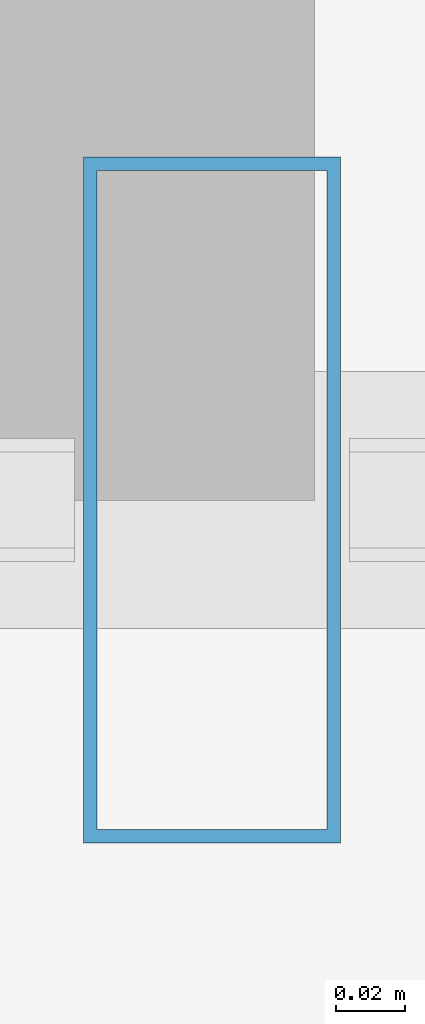
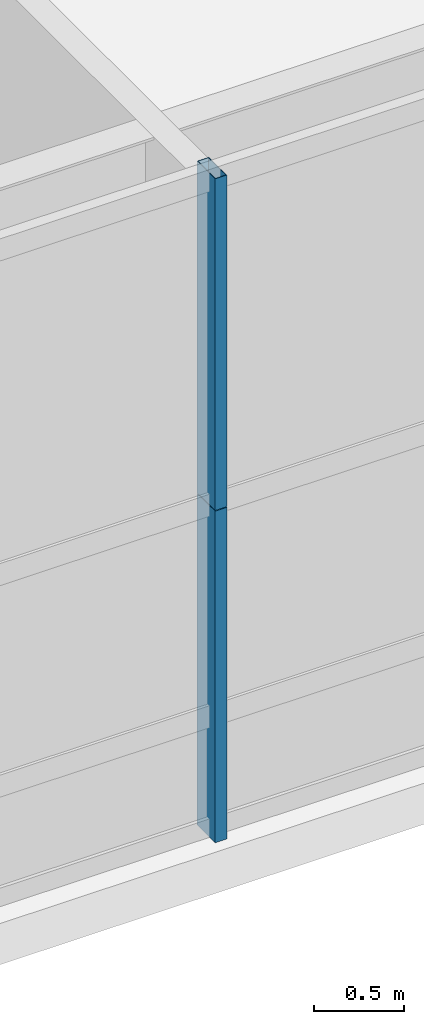
# One storey, part 13 of 39: 2 members, 1 element without a shape of its own.
"""IFC4 building model written with IfcOpenShell, lengths in metres."""

from ifc_helpers import new_model, si_unit, direction, frame, origin, origin_2d, place, context, subcontext, project, spatial, hollow_rectangle, extrude, source, transform, mapped, material, layer, layer_set, material_profile, profile_set, type_object, element, aggregate, save


model = new_model("IFC4")

# Units and contexts
model_context = context("Model", 3, precision=1e-05, world=origin(), true_north=direction((0.0, 1.0)))
body_context = subcontext(model_context, "Body", "Model", "MODEL_VIEW")
ifc_project = project(units=[si_unit("LENGTHUNIT", "METRE"), si_unit("AREAUNIT", "SQUARE_METRE"), si_unit("VOLUMEUNIT", "CUBIC_METRE"), si_unit("PLANEANGLEUNIT", "RADIAN"), si_unit("MASSUNIT", "GRAM", prefix="KILO"), si_unit("THERMODYNAMICTEMPERATUREUNIT", "KELVIN"), si_unit("POWERUNIT", "WATT")], contexts=[model_context])

# Site, building, storey
site_placement = place(None, origin())
site = spatial("IfcSite", under=ifc_project, at=site_placement, CompositionType="ELEMENT")
building_placement = place(site_placement, origin())
building = spatial("IfcBuilding", under=site, at=building_placement, Name="Yuzanri Waterfront Tower", CompositionType="ELEMENT")
storey_placement = place(building_placement, frame((0.0, 0.0, 15.0)))
storey = spatial("IfcBuildingStorey", under=building, at=storey_placement, Name="L04", CompositionType="ELEMENT", Elevation=15.0)

# Curtain wall, members
ifc_material_1 = material(Name="Anodized Architectural Bronze", Category="metal")
ifc_layer = layer(ifc_material_1, 0.159912109375)
ifc_layer_set = layer_set([ifc_layer], Name="Anodized Architectural Bronze")
curtain_wall_type = type_object("IfcCurtainWallType", Name="Anodized Bronze Podium Waterfront Double-Height Unitized Curtain Wall 8400", PredefinedType="NOTDEFINED", material=ifc_layer_set)
curtain_wall_placement = place(storey_placement, origin())
curtain_wall = element("IfcCurtainWall", 1, at=curtain_wall_placement, inside=storey, type_object=curtain_wall_type, Name="L04 Curtain Wall CW-L04-S2", PredefinedType="NOTDEFINED")
ifc_material_2 = material(Name="Anodized Architectural Bronze", Category="metal")
ifc_material_profile = material_profile(ifc_material_2, hollow_rectangle(XDim=0.074951171875, YDim=0.199951171875, WallThickness=0.00390625, at=origin_2d()), Name="CWM 75x200")
ifc_profile_set = profile_set([ifc_material_profile], Name="Anodized Architectural Bronze")
member_type = type_object("IfcMemberType", Name="Anodized Bronze Primary Curtain-Wall Mullion 75x200", PredefinedType="MULLION", material=ifc_profile_set)
shared_shape = source(origin(), body_context, "Body", "SweptSolid", [
    extrude(hollow_rectangle(XDim=0.074951171875, YDim=0.199951171875, WallThickness=0.00390625, at=origin_2d()), origin(), (0.0, 0.0, 1.0), 2.258056640625),
])
member_1_placement = place(storey_placement, frame((47.75, 1.97998046875, 0.0), z_axis=(0.0, 0.0, 1.0), x_axis=(1.0, 0.0, 0.0)))
member_1 = element("IfcMember", 2, at=member_1_placement, type_object=member_type, Name="CW-L04-S2 Lower Mullion 01", PredefinedType="MULLION", context=body_context, shape_type="MappedRepresentation", body=[
    mapped(shared_shape, transform((0.0, 0.0, 0.0), scale=1.0)),
])
member_2_placement = place(storey_placement, frame((47.75, 1.97998046875, 2.261962890625), z_axis=(0.0, 0.0, 1.0), x_axis=(1.0, 0.0, 0.0)))
member_2 = element("IfcMember", 3, at=member_2_placement, type_object=member_type, Name="CW-L04-S2 Upper Mullion 01", PredefinedType="MULLION", context=body_context, shape_type="MappedRepresentation", body=[
    mapped(shared_shape, transform((0.0, 0.0, 0.0), scale=1.0)),
])
aggregate(curtain_wall, [member_1, member_2])

save(model, "model.ifc")
